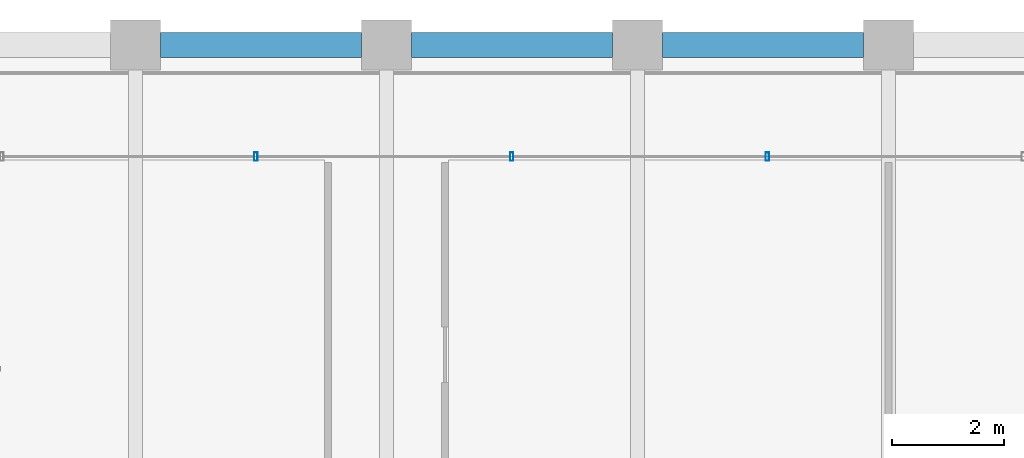
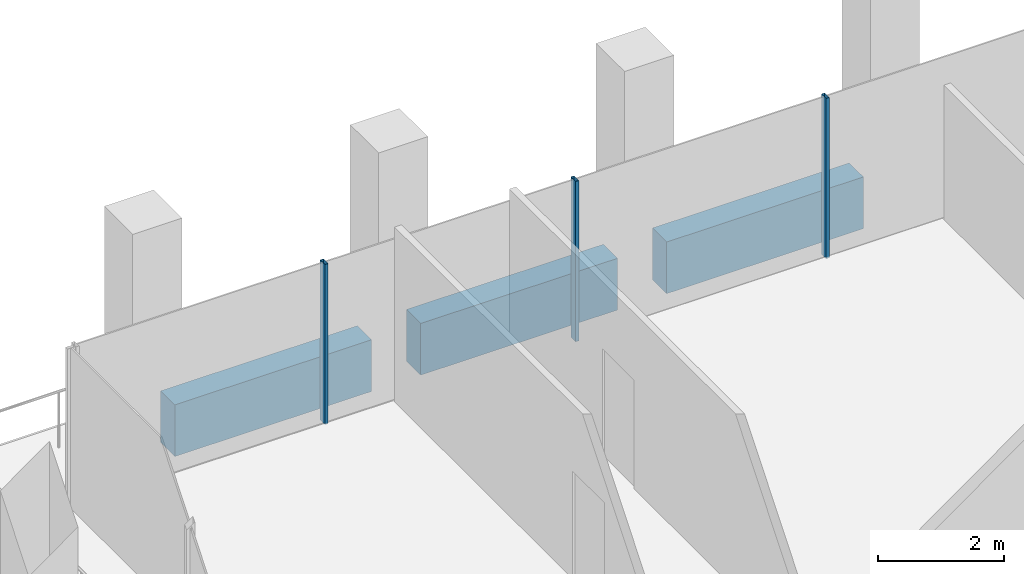
# One storey, part 23 of 40: 3 beams, 3 members, 1 element without a shape of its own.
"""IFC4 building model written with IfcOpenShell, lengths in metres."""

from ifc_helpers import new_model, si_unit, direction, frame, origin, origin_2d, place, context, subcontext, project, spatial, rectangle, hollow_rectangle, extrude, material, material_profile, profile_set, type_object, element, aggregate, save


model = new_model("IFC4")

# Units and contexts
model_context = context("Model", 3, precision=1e-05, world=origin(), true_north=direction((0.0, 1.0)))
body_context = subcontext(model_context, "Body", "Model", "MODEL_VIEW")
ifc_project = project(units=[si_unit("LENGTHUNIT", "METRE"), si_unit("AREAUNIT", "SQUARE_METRE"), si_unit("VOLUMEUNIT", "CUBIC_METRE"), si_unit("PLANEANGLEUNIT", "RADIAN"), si_unit("MASSUNIT", "GRAM", prefix="KILO")], contexts=[model_context])

# Site, building, storey
site_placement = place(None, origin())
site = spatial("IfcSite", under=ifc_project, at=site_placement, CompositionType="ELEMENT")
building_placement = place(site_placement, origin())
building = spatial("IfcBuilding", under=site, at=building_placement, Name="Altepetl Exchange Towers", CompositionType="ELEMENT")
storey_placement = place(building_placement, frame((0.0, 0.0, 187.0)))
storey = spatial("IfcBuildingStorey", under=building, at=storey_placement, Name="L47", CompositionType="ELEMENT", Elevation=187.0)

# Curtain wall, members
ifc_material_1 = material(Name="Aluminium 6063-T6 glazing", Category="aluminium")
curtain_wall_type = type_object("IfcCurtainWallType", Name="Loggia glazing system", PredefinedType="NOTDEFINED", material=ifc_material_1)
curtain_wall_placement = place(storey_placement, origin())
curtain_wall = element("IfcCurtainWall", 1, at=curtain_wall_placement, inside=storey, type_object=curtain_wall_type, Name="CW1 run", PredefinedType="NOTDEFINED")
ifc_material_2 = material(Name="Aluminium 6063-T6", Category="aluminium")
ifc_material_profile_1 = material_profile(ifc_material_2, hollow_rectangle(XDim=0.06005859375, YDim=0.14990234375, WallThickness=0.0029296875, at=origin_2d()), Name="Mullion 60x150 aluminium")
ifc_profile_set_1 = profile_set([ifc_material_profile_1], Name="Aluminium 6063-T6")
member_type = type_object("IfcMemberType", Name="Mullion 60x150 aluminium", PredefinedType="MULLION", material=ifc_profile_set_1)
member_1_placement = place(storey_placement, frame((56.330078125, 70.0, 0.0), z_axis=(0.0, 0.0, 1.0), x_axis=(-1.0, 0.0, 0.0)))
member_1 = element("IfcMember", 2, at=member_1_placement, type_object=member_type, Name="MU1 mullion", PredefinedType="MULLION", context=body_context, shape_type="SweptSolid", body=[
    extrude(hollow_rectangle(XDim=0.06005859375, YDim=0.14990234375, WallThickness=0.0029296875, at=origin_2d()), origin(), (0.0, 0.0, 1.0), 3.10009765625),
])
member_2_placement = place(storey_placement, frame((51.7451171875, 70.0, 0.0), z_axis=(0.0, 0.0, 1.0), x_axis=(-1.0, 0.0, 0.0)))
member_2 = element("IfcMember", 3, at=member_2_placement, type_object=member_type, Name="MU1 mullion", PredefinedType="MULLION", context=body_context, shape_type="SweptSolid", body=[
    extrude(hollow_rectangle(XDim=0.06005859375, YDim=0.14990234375, WallThickness=0.0029296875, at=origin_2d()), origin(), (0.0, 0.0, 1.0), 3.10009765625),
])
member_3_placement = place(storey_placement, frame((47.159912109375, 70.0, 0.0), z_axis=(0.0, 0.0, 1.0), x_axis=(-1.0, 0.0, 0.0)))
member_3 = element("IfcMember", 4, at=member_3_placement, type_object=member_type, Name="MU1 mullion", PredefinedType="MULLION", context=body_context, shape_type="SweptSolid", body=[
    extrude(hollow_rectangle(XDim=0.06005859375, YDim=0.14990234375, WallThickness=0.0029296875, at=origin_2d()), origin(), (0.0, 0.0, 1.0), 3.10009765625),
])
aggregate(curtain_wall, [member_1, member_2, member_3])

# Beams
ifc_material_3 = material(Name="Concrete C50/60 precast with cantera rosa facing", Category="concrete")
ifc_material_profile_2 = material_profile(ifc_material_3, rectangle(XDim=0.449951171875, YDim=1.0, at=origin_2d()), Name="450 x 1000")
ifc_profile_set_2 = profile_set([ifc_material_profile_2], Name="Concrete C50/60 precast with cantera rosa facing")
beam_type = type_object("IfcBeamType", Name="Spandrel beam 450x1000 cantera rosa", PredefinedType="SPANDREL", material=ifc_profile_set_2)
for number, where, z_axis, x_axis, name in (
    (5, (58.050048828125, 72.0, -0.64990234375), (-1.0, 0.0, 0.0), (0.0, -1.0, 0.0), "sp:A:L47:026"),
    (6, (53.550048828125, 72.0, -0.64990234375), (-1.0, 0.0, 0.0), (0.0, -1.0, 0.0), "sp:A:L47:027"),
    (7, (49.050048828125, 72.0, -0.64990234375), (-1.0, 0.0, 0.0), (0.0, -1.0, 0.0), "sp:A:L47:028"),
):
    element("IfcBeam", number, at=place(storey_placement, frame(where, z_axis=z_axis, x_axis=x_axis)), inside=storey, type_object=beam_type, Name=name, PredefinedType="SPANDREL", context=body_context, shape_type="SweptSolid", body=[
        extrude(rectangle(XDim=0.449951171875, YDim=1.0, at=origin_2d()), origin(), (0.0, 0.0, 1.0), 3.60009765625),
    ])

save(model, "model.ifc")
